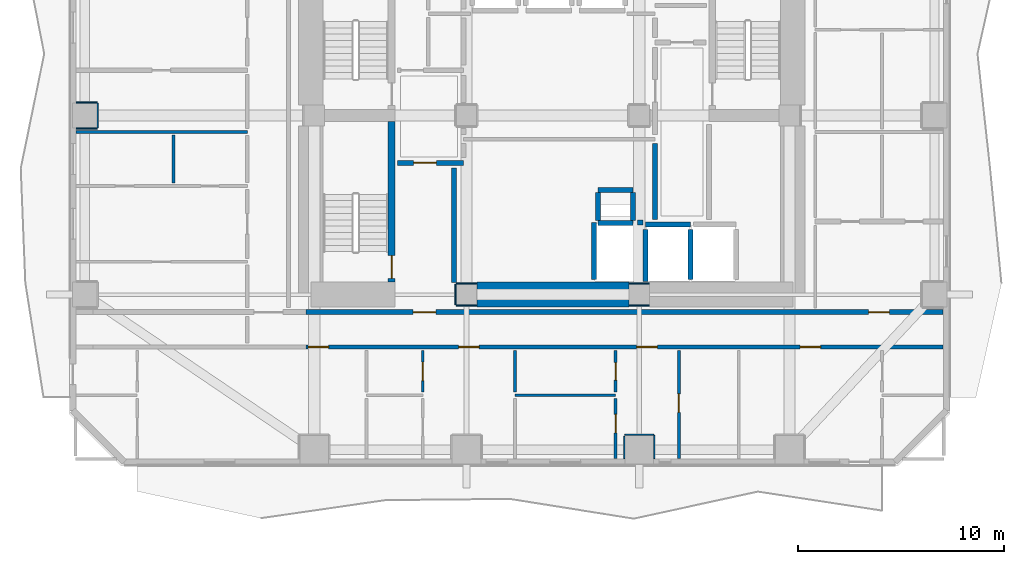
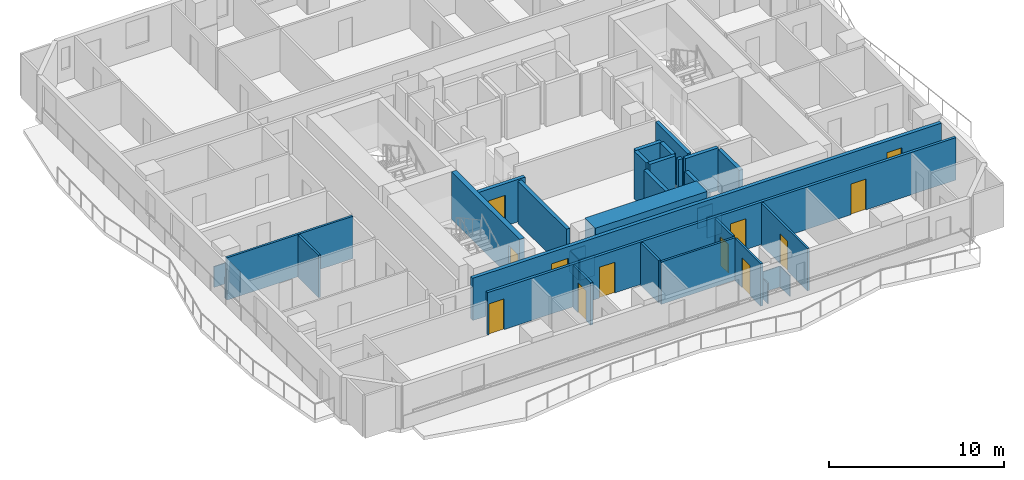
# One storey, part 3 of 12: 35 walls, 12 doors, 12 openings.
"""IFC4 building model written with IfcOpenShell, lengths in metres."""

from ifc_helpers import new_model, si_unit, direction, frame, frame_2d, origin, place, context, subcontext, project, spatial, rectangle, extrude, material, layer, layer_set, type_object, element, fill, save


model = new_model("IFC4")

# Units and contexts
model_context = context("Model", 3, precision=1e-05, world=origin(), true_north=direction((0.0, 1.0)))
body_context = subcontext(model_context, "Body", "Model", "MODEL_VIEW")
ifc_project = project(units=[si_unit("LENGTHUNIT", "METRE"), si_unit("AREAUNIT", "SQUARE_METRE"), si_unit("VOLUMEUNIT", "CUBIC_METRE"), si_unit("PLANEANGLEUNIT", "RADIAN"), si_unit("MASSUNIT", "GRAM", prefix="KILO")], contexts=[model_context])

# Site, building, storey
site_placement = place(None, origin())
site = spatial("IfcSite", under=ifc_project, at=site_placement, CompositionType="ELEMENT")
building_placement = place(site_placement, origin())
building = spatial("IfcBuilding", under=site, at=building_placement, Name="Solanera Arch Residences", CompositionType="ELEMENT")
storey_placement = place(building_placement, frame((0.0, 0.0, 85.080078125)))
storey = spatial("IfcBuildingStorey", under=building, at=storey_placement, Name="L24", CompositionType="ELEMENT", Elevation=85.080078125)

# Walls
ifc_material_1 = material(Name="Fire-Rated Gypsum Stud Partition", Category="gypsum")
ifc_layer_1 = layer(ifc_material_1, 0.06005859375)
ifc_layer_set_1 = layer_set([ifc_layer_1], Name="Fire-Rated Gypsum Stud Partition")
wall_type_1 = type_object("IfcWallType", Name="Column Acoustic Furring Wall 60", PredefinedType="PARTITIONING", material=ifc_layer_set_1)
for number, where, z_axis, x_axis, name in (
    (1, (20.300048828125, 21.468017578125, 0.0), (0.0, 0.0, 1.0), (1.0, 0.0, 0.0), "L24 Column Furring 1S"),
    (2, (20.300048828125, 22.531982421875, 0.0), (0.0, 0.0, 1.0), (1.0, 0.0, 0.0), "L24 Column Furring 1N"),
):
    element("IfcWall", number, at=place(storey_placement, frame(where, z_axis=z_axis, x_axis=x_axis)), inside=storey, type_object=wall_type_1, Name=name, PredefinedType="PARTITIONING", context=body_context, shape_type="SweptSolid", body=[
        extrude(rectangle(XDim=0.989990234375, YDim=0.06005859375, at=frame_2d((0.4951171875, 0.0))), origin(), (0.0, 0.0, 1.0), 1.449951171875),
    ])
wall_1_placement = place(storey_placement, frame((20.26806640625, 21.5, 0.0), z_axis=(0.0, 0.0, 1.0), x_axis=(0.0, 1.0, 0.0)))
element("IfcWall", 3, at=wall_1_placement, inside=storey, type_object=wall_type_1, Name="L24 Column Furring 1W", PredefinedType="PARTITIONING", context=body_context, shape_type="SweptSolid", body=[
    extrude(rectangle(XDim=1.0, YDim=0.06005859375, at=frame_2d((0.5, 0.0))), origin(), (0.0, 0.0, 1.0), 1.449951171875),
])
for number, where, z_axis, x_axis, name in (
    (4, (28.7099609375, 21.468017578125, 0.0), (0.0, 0.0, 1.0), (1.0, 0.0, 0.0), "L24 Column Furring 2S"),
    (5, (28.7099609375, 22.531982421875, 0.0), (0.0, 0.0, 1.0), (1.0, 0.0, 0.0), "L24 Column Furring 2N"),
):
    element("IfcWall", number, at=place(storey_placement, frame(where, z_axis=z_axis, x_axis=x_axis)), inside=storey, type_object=wall_type_1, Name=name, PredefinedType="PARTITIONING", context=body_context, shape_type="SweptSolid", body=[
        extrude(rectangle(XDim=0.97998046875, YDim=0.06005859375, at=frame_2d((0.489990234375, 0.0))), origin(), (0.0, 0.0, 1.0), 1.449951171875),
    ])
wall_2_placement = place(storey_placement, frame((28.5, 15.181884765625, 0.0), z_axis=(0.0, 0.0, 1.0), x_axis=(1.0, 0.0, 0.0)))
element("IfcWall", 6, at=wall_2_placement, inside=storey, type_object=wall_type_1, Name="L24 Column Furring 13N", PredefinedType="PARTITIONING", context=body_context, shape_type="SweptSolid", body=[
    extrude(rectangle(XDim=1.39990234375, YDim=0.06005859375, at=frame_2d((0.699951171875, 0.0))), origin(), (0.0, 0.0, 1.0), 1.449951171875),
])
wall_3_placement = place(storey_placement, frame((28.468017578125, 14.030029296875, 0.0), z_axis=(0.0, 0.0, 1.0), x_axis=(0.0, 1.0, 0.0)))
element("IfcWall", 7, at=wall_3_placement, inside=storey, type_object=wall_type_1, Name="L24 Column Furring 13W", PredefinedType="PARTITIONING", context=body_context, shape_type="SweptSolid", body=[
    extrude(rectangle(XDim=1.080078125, YDim=0.06005859375, at=frame_2d((0.5400390625, 0.0))), origin(), (0.0, 0.0, 1.0), 1.449951171875),
])
wall_4_placement = place(storey_placement, frame((29.931884765625, 14.030029296875, 0.0), z_axis=(0.0, 0.0, 1.0), x_axis=(0.0, 1.0, 0.0)))
element("IfcWall", 8, at=wall_4_placement, inside=storey, type_object=wall_type_1, Name="L24 Column Furring 13E", PredefinedType="PARTITIONING", context=body_context, shape_type="SweptSolid", body=[
    extrude(rectangle(XDim=1.119873046875, YDim=0.06005859375, at=frame_2d((0.56005859375, 0.0))), origin(), (0.0, 0.0, 1.0), 1.449951171875),
])
for number, where, z_axis, x_axis, name in (
    (9, (1.830078125, 30.068115234375, 0.0), (0.0, 0.0, 1.0), (1.0, 0.0, 0.0), "L24 Column Furring 19S"),
    (10, (1.830078125, 31.33203125, 0.0), (0.0, 0.0, 1.0), (1.0, 0.0, 0.0), "L24 Column Furring 19N"),
):
    element("IfcWall", number, at=place(storey_placement, frame(where, z_axis=z_axis, x_axis=x_axis)), inside=storey, type_object=wall_type_1, Name=name, PredefinedType="PARTITIONING", context=body_context, shape_type="SweptSolid", body=[
        extrude(rectangle(XDim=1.02001953125, YDim=0.06005859375, at=frame_2d((0.510009765625, 0.0))), origin(), (0.0, 0.0, 1.0), 1.449951171875),
    ])
wall_5_placement = place(storey_placement, frame((2.882080078125, 30.10009765625, 0.0), z_axis=(0.0, 0.0, 1.0), x_axis=(0.0, 1.0, 0.0)))
element("IfcWall", 11, at=wall_5_placement, inside=storey, type_object=wall_type_1, Name="L24 Column Furring 19E", PredefinedType="PARTITIONING", context=body_context, shape_type="SweptSolid", body=[
    extrude(rectangle(XDim=1.199951171875, YDim=0.06005859375, at=frame_2d((0.60009765625, 0.0))), origin(), (0.0, 0.0, 1.0), 1.449951171875),
])
ifc_material_2 = material(Name="Concrete C55/67 (f'c = 60 MPa)", Category="concrete")
ifc_layer_2 = layer(ifc_material_2, 1.199951171875)
ifc_layer_set_2 = layer_set([ifc_layer_2], Name="Concrete C55/67 (f'c = 60 MPa)")
wall_type_2 = type_object("IfcWallType", Name="Core Shear Wall CW-1200", PredefinedType="SHEAR", material=ifc_layer_set_2)
wall_6_placement = place(storey_placement, frame((21.304931640625, 22.0, 0.0), z_axis=(0.0, 0.0, 1.0), x_axis=(1.0, 0.0, 0.0)))
element("IfcWall", 12, at=wall_6_placement, inside=storey, type_object=wall_type_2, Name="L24 Central South Core Shear Wall", PredefinedType="SHEAR", context=body_context, shape_type="SweptSolid", body=[
    extrude(rectangle(XDim=7.39013671875, YDim=1.199951171875, at=frame_2d((3.695068359375, 0.0))), origin(), (0.0, 0.0, 1.0), 3.31982421875),
])

# Wall, opening, door
ifc_material_3 = material(Name="Concrete C40/50 (f'c = 45 MPa)", Category="concrete")
ifc_layer_3 = layer(ifc_material_3, 0.320068359375)
ifc_layer_set_3 = layer_set([ifc_layer_3], Name="Concrete C40/50 (f'c = 45 MPa)")
wall_type_3 = type_object("IfcWallType", Name="Core Shear Wall CW-320", PredefinedType="SHEAR", material=ifc_layer_set_3)
wall_7_placement = place(storey_placement, frame((17.159912109375, 22.60009765625, 0.0), z_axis=(0.0, 0.0, 1.0), x_axis=(0.0, 1.0, 0.0)))
wall_7 = element("IfcWall", 13, at=wall_7_placement, inside=storey, type_object=wall_type_3, Name="L24 Stair ST-T3 East Shear Wall", PredefinedType="SHEAR", context=body_context, shape_type="SweptSolid", body=[
    extrude(rectangle(XDim=7.7998046875, YDim=0.320068359375, at=frame_2d((3.89990234375, 0.0))), origin(), (0.0, 0.0, 1.0), 3.31982421875),
])
opening_1_placement = place(wall_7_placement, frame((0.18994140625, 0.0, 0.0)))
opening_1 = element("IfcOpeningElement", 14, at=opening_1_placement, cuts=wall_7, Name="Opening DF-01", PredefinedType="OPENING", context=body_context, shape_type="SweptSolid", body=[
    extrude(rectangle(XDim=1.10009765625, YDim=2.14990234375, at=frame_2d((0.550048828125, 1.074951171875))), frame((0.0, 0.169921875, 0.0), z_axis=(0.0, -1.0, 0.0), x_axis=(1.0, 0.0, 0.0)), (0.0, 0.0, 1.0), 0.3401),
])
ifc_material_4 = material(Name="Fire-Rated Architectural Hardwood", Category="wood")
door_type_1 = type_object("IfcDoorType", Name="Stair Exit Fire Door DF-01", OperationType="NOTDEFINED", PredefinedType="DOOR", material=ifc_material_4)
door_1_placement = place(opening_1_placement, origin())
door_1 = element("IfcDoor", 15, at=door_1_placement, inside=storey, type_object=door_type_1, Name="DR-L24-STAIR-ST-T3", OperationType="SINGLE_SWING_LEFT", OverallHeight=2.14990234375, OverallWidth=1.10009765625, PredefinedType="DOOR", context=body_context, shape_type="SweptSolid", body=[
    extrude(rectangle(XDim=1.10009765625, YDim=2.14990234375, at=frame_2d((0.550048828125, 1.074951171875))), frame((0.0, 0.02490234375, 0.0), z_axis=(0.0, -1.0, 0.0), x_axis=(1.0, 0.0, 0.0)), (0.0, 0.0, 1.0), 0.050048828125),
])
fill(opening_1, door_1)

# Wall, openings, doors
ifc_material_5 = material(Name="Autoclaved Aerated Concrete Blockwork", Category="masonry")
ifc_layer_4 = layer(ifc_material_5, 0.179931640625)
ifc_layer_set_4 = layer_set([ifc_layer_4], Name="Autoclaved Aerated Concrete Blockwork")
wall_type_4 = type_object("IfcWallType", Name="Corridor Fire Partition 180", PredefinedType="PARTITIONING", material=ifc_layer_set_4)
wall_8_placement = place(storey_placement, frame((12.992919921875, 19.449951171875, 0.0), z_axis=(0.0, 0.0, 1.0), x_axis=(1.0, 0.0, 0.0)))
wall_8 = element("IfcWall", 16, at=wall_8_placement, inside=storey, type_object=wall_type_4, Name="L24 Interior Partition H8 3", PredefinedType="PARTITIONING", context=body_context, shape_type="SweptSolid", body=[
    extrude(rectangle(XDim=30.97998046875, YDim=0.179931640625, at=frame_2d((15.489990234375, 0.0))), origin(), (0.0, 0.0, 1.0), 2.9599609375),
])
opening_2_placement = place(wall_8_placement, frame((0.110107421875, 0.0, 0.0)))
opening_2 = element("IfcOpeningElement", 17, at=opening_2_placement, cuts=wall_8, Name="Opening DI-01", PredefinedType="OPENING", context=body_context, shape_type="SweptSolid", body=[
    extrude(rectangle(XDim=1.0, YDim=2.14990234375, at=frame_2d((0.5, 1.074951171875))), frame((0.0, 0.10009765625, 0.0), z_axis=(0.0, -1.0, 0.0), x_axis=(1.0, 0.0, 0.0)), (0.0, 0.0, 1.0), 0.1999),
])
opening_3_placement = place(wall_8_placement, frame((7.423095703125, 0.0, 0.0)))
opening_3 = element("IfcOpeningElement", 18, at=opening_3_placement, cuts=wall_8, Name="Opening DI-01", PredefinedType="OPENING", context=body_context, shape_type="SweptSolid", body=[
    extrude(rectangle(XDim=1.0, YDim=2.14990234375, at=frame_2d((0.5, 1.074951171875))), frame((0.0, 0.10009765625, 0.0), z_axis=(0.0, -1.0, 0.0), x_axis=(1.0, 0.0, 0.0)), (0.0, 0.0, 1.0), 0.1999),
])
opening_4_placement = place(wall_8_placement, frame((16.0830078125, 0.0, 0.0)))
opening_4 = element("IfcOpeningElement", 19, at=opening_4_placement, cuts=wall_8, Name="Opening DI-01", PredefinedType="OPENING", context=body_context, shape_type="SweptSolid", body=[
    extrude(rectangle(XDim=1.0, YDim=2.14990234375, at=frame_2d((0.5, 1.074951171875))), frame((0.0, 0.10009765625, 0.0), z_axis=(0.0, -1.0, 0.0), x_axis=(1.0, 0.0, 0.0)), (0.0, 0.0, 1.0), 0.1999),
])
opening_5_placement = place(wall_8_placement, frame((24.027099609375, 0.0, 0.0)))
opening_5 = element("IfcOpeningElement", 20, at=opening_5_placement, cuts=wall_8, Name="Opening DI-01", PredefinedType="OPENING", context=body_context, shape_type="SweptSolid", body=[
    extrude(rectangle(XDim=1.0, YDim=2.14990234375, at=frame_2d((0.5, 1.074951171875))), frame((0.0, 0.10009765625, 0.0), z_axis=(0.0, -1.0, 0.0), x_axis=(1.0, 0.0, 0.0)), (0.0, 0.0, 1.0), 0.1999),
])
ifc_material_6 = material(Name="Fire-Rated Architectural Hardwood", Category="wood")
door_type_2 = type_object("IfcDoorType", Name="Unit Entrance Fire Door DI-01", OperationType="NOTDEFINED", PredefinedType="DOOR", material=ifc_material_6)
door_2_placement = place(opening_2_placement, origin())
door_2 = element("IfcDoor", 21, at=door_2_placement, inside=storey, type_object=door_type_2, Name="DR-L24-IN-013", OperationType="SINGLE_SWING_LEFT", OverallHeight=2.14990234375, OverallWidth=1.0, PredefinedType="DOOR", context=body_context, shape_type="SweptSolid", body=[
    extrude(rectangle(XDim=1.0, YDim=2.14990234375, at=frame_2d((0.5, 1.074951171875))), frame((0.0, 0.02490234375, 0.0), z_axis=(0.0, -1.0, 0.0), x_axis=(1.0, 0.0, 0.0)), (0.0, 0.0, 1.0), 0.050048828125),
])
fill(opening_2, door_2)
door_3_placement = place(opening_3_placement, origin())
door_3 = element("IfcDoor", 22, at=door_3_placement, inside=storey, type_object=door_type_2, Name="DR-L24-IN-016", OperationType="SINGLE_SWING_RIGHT", OverallHeight=2.14990234375, OverallWidth=1.0, PredefinedType="DOOR", context=body_context, shape_type="SweptSolid", body=[
    extrude(rectangle(XDim=1.0, YDim=2.14990234375, at=frame_2d((0.5, 1.074951171875))), frame((0.0, 0.02490234375, 0.0), z_axis=(0.0, -1.0, 0.0), x_axis=(1.0, 0.0, 0.0)), (0.0, 0.0, 1.0), 0.050048828125),
])
fill(opening_3, door_3)
door_4_placement = place(opening_4_placement, origin())
door_4 = element("IfcDoor", 23, at=door_4_placement, inside=storey, type_object=door_type_2, Name="DR-L24-IN-019", OperationType="SINGLE_SWING_LEFT", OverallHeight=2.14990234375, OverallWidth=1.0, PredefinedType="DOOR", context=body_context, shape_type="SweptSolid", body=[
    extrude(rectangle(XDim=1.0, YDim=2.14990234375, at=frame_2d((0.5, 1.074951171875))), frame((0.0, 0.02490234375, 0.0), z_axis=(0.0, -1.0, 0.0), x_axis=(1.0, 0.0, 0.0)), (0.0, 0.0, 1.0), 0.050048828125),
])
fill(opening_4, door_4)
door_5_placement = place(opening_5_placement, origin())
door_5 = element("IfcDoor", 24, at=door_5_placement, inside=storey, type_object=door_type_2, Name="DR-L24-IN-023", OperationType="SINGLE_SWING_LEFT", OverallHeight=2.14990234375, OverallWidth=1.0, PredefinedType="DOOR", context=body_context, shape_type="SweptSolid", body=[
    extrude(rectangle(XDim=1.0, YDim=2.14990234375, at=frame_2d((0.5, 1.074951171875))), frame((0.0, 0.02490234375, 0.0), z_axis=(0.0, -1.0, 0.0), x_axis=(1.0, 0.0, 0.0)), (0.0, 0.0, 1.0), 0.050048828125),
])
fill(opening_5, door_5)

# Walls
ifc_material_7 = material(Name="Concrete C40/50 (f'c = 45 MPa)", Category="concrete")
ifc_layer_5 = layer(ifc_material_7, 0.239990234375)
ifc_layer_set_5 = layer_set([ifc_layer_5], Name="Concrete C40/50 (f'c = 45 MPa)")
wall_type_5 = type_object("IfcWallType", Name="Ramp Bearing Shear Wall RW-240", PredefinedType="SHEAR", material=ifc_layer_set_5)
for number, where, z_axis, x_axis, name in (
    (25, (27.199951171875, 25.47998046875, 0.0), (0.0, 0.0, 1.0), (1.0, 0.0, 0.0), "L24 Core MEP Riser South Shaft Wall"),
    (26, (27.199951171875, 27.080078125, 0.0), (0.0, 0.0, 1.0), (1.0, 0.0, 0.0), "L24 Core MEP Riser North Shaft Wall"),
):
    element("IfcWall", number, at=place(storey_placement, frame(where, z_axis=z_axis, x_axis=x_axis)), inside=storey, type_object=wall_type_5, Name=name, PredefinedType="SHEAR", context=body_context, shape_type="SweptSolid", body=[
        extrude(rectangle(XDim=1.699951171875, YDim=0.239990234375, at=frame_2d((0.85009765625, 0.0))), origin(), (0.0, 0.0, 1.0), 3.31982421875),
    ])
for number, where, z_axis, x_axis, name in (
    (27, (27.199951171875, 25.60009765625, 0.0), (0.0, 0.0, 1.0), (0.0, 1.0, 0.0), "L24 Core MEP Riser West Shaft Wall"),
    (28, (28.89990234375, 25.60009765625, 0.0), (0.0, 0.0, 1.0), (0.0, 1.0, 0.0), "L24 Core MEP Riser East Shaft Wall"),
):
    element("IfcWall", number, at=place(storey_placement, frame(where, z_axis=z_axis, x_axis=x_axis)), inside=storey, type_object=wall_type_5, Name=name, PredefinedType="SHEAR", context=body_context, shape_type="SweptSolid", body=[
        extrude(rectangle(XDim=1.35986328125, YDim=0.239990234375, at=frame_2d((0.679931640625, 0.0))), origin(), (0.0, 0.0, 1.0), 3.31982421875),
    ])
ifc_material_8 = material(Name="Autoclaved Aerated Concrete Blockwork", Category="masonry")
ifc_layer_6 = layer(ifc_material_8, 0.239990234375)
ifc_layer_set_6 = layer_set([ifc_layer_6], Name="Autoclaved Aerated Concrete Blockwork")
wall_type_6 = type_object("IfcWallType", Name="Shaft Wall Fire-Rated 240", PredefinedType="PARTITIONING", material=ifc_layer_set_6)
wall_9_placement = place(storey_placement, frame((29.5, 25.39990234375, 0.0), z_axis=(0.0, 0.0, 1.0), x_axis=(1.0, 0.0, 0.0)))
element("IfcWall", 29, at=wall_9_placement, inside=storey, type_object=wall_type_6, Name="L24 Lift FFL-1 Hoistway Wall N", PredefinedType="PARTITIONING", context=body_context, shape_type="SweptSolid", body=[
    extrude(rectangle(XDim=2.199951171875, YDim=0.239990234375, at=frame_2d((1.10009765625, 0.0))), origin(), (0.0, 0.0, 1.0), 2.9599609375),
])
wall_10_placement = place(storey_placement, frame((29.5, 22.632080078125, 0.0), z_axis=(0.0, 0.0, 1.0), x_axis=(0.0, 1.0, 0.0)))
element("IfcWall", 30, at=wall_10_placement, inside=storey, type_object=wall_type_6, Name="L24 Lift FFL-1 Hoistway Wall W", PredefinedType="PARTITIONING", context=body_context, shape_type="SweptSolid", body=[
    extrude(rectangle(XDim=2.52001953125, YDim=0.239990234375, at=frame_2d((1.260009765625, 0.0))), origin(), (0.0, 0.0, 1.0), 2.19482421875),
])
wall_11_placement = place(storey_placement, frame((31.699951171875, 22.72998046875, 0.0), z_axis=(0.0, 0.0, 1.0), x_axis=(0.0, 1.0, 0.0)))
element("IfcWall", 31, at=wall_11_placement, inside=storey, type_object=wall_type_6, Name="L24 Lift FFL-1 Hoistway Wall E", PredefinedType="PARTITIONING", context=body_context, shape_type="SweptSolid", body=[
    extrude(rectangle(XDim=2.422119140625, YDim=0.239990234375, at=frame_2d((1.2109375, 0.0))), origin(), (0.0, 0.0, 1.0), 2.9599609375),
])
wall_12_placement = place(storey_placement, frame((29.10302734375, 25.5, 0.0), z_axis=(0.0, 0.0, 1.0), x_axis=(1.0, 0.0, 0.0)))
element("IfcWall", 32, at=wall_12_placement, inside=storey, type_object=wall_type_6, Name="L24 Lift SVL-1 Hoistway Wall N", PredefinedType="PARTITIONING", context=body_context, shape_type="SweptSolid", body=[
    extrude(rectangle(XDim=0.26904296875, YDim=0.239990234375, at=frame_2d((0.134521484375, 0.0))), origin(), (0.0, 0.0, 1.0), 2.9599609375),
])
wall_13_placement = place(storey_placement, frame((27.0, 22.72998046875, 0.0), z_axis=(0.0, 0.0, 1.0), x_axis=(0.0, 1.0, 0.0)))
element("IfcWall", 33, at=wall_13_placement, inside=storey, type_object=wall_type_6, Name="L24 Lift SVL-1 Hoistway Wall W", PredefinedType="PARTITIONING", context=body_context, shape_type="SweptSolid", body=[
    extrude(rectangle(XDim=2.76806640625, YDim=0.239990234375, at=frame_2d((1.384033203125, 0.0))), origin(), (0.0, 0.0, 1.0), 2.9599609375),
])

# Wall, openings, doors
wall_14_placement = place(storey_placement, frame((12.992919921875, 21.14990234375, 0.0), z_axis=(0.0, 0.0, 1.0), x_axis=(1.0, 0.0, 0.0)))
wall_14 = element("IfcWall", 34, at=wall_14_placement, inside=storey, type_object=wall_type_6, Name="L24 Interior Partition H1 3", PredefinedType="PARTITIONING", context=body_context, shape_type="SweptSolid", body=[
    extrude(rectangle(XDim=30.97998046875, YDim=0.239990234375, at=frame_2d((15.489990234375, 0.0))), origin(), (0.0, 0.0, 1.0), 2.9599609375),
])
opening_6_placement = place(wall_14_placement, frame((5.217041015625, 0.0, 0.0)))
opening_6 = element("IfcOpeningElement", 35, at=opening_6_placement, cuts=wall_14, Name="Opening DF-02", PredefinedType="OPENING", context=body_context, shape_type="SweptSolid", body=[
    extrude(rectangle(XDim=1.10009765625, YDim=2.14990234375, at=frame_2d((0.550048828125, 1.074951171875))), frame((0.0, 0.1298828125, 0.0), z_axis=(0.0, -1.0, 0.0), x_axis=(1.0, 0.0, 0.0)), (0.0, 0.0, 1.0), 0.26),
])
opening_7_placement = place(wall_14_placement, frame((27.35791015625, 0.0, 0.0)))
opening_7 = element("IfcOpeningElement", 36, at=opening_7_placement, cuts=wall_14, Name="Opening DI-01", PredefinedType="OPENING", context=body_context, shape_type="SweptSolid", body=[
    extrude(rectangle(XDim=1.0, YDim=2.14990234375, at=frame_2d((0.5, 1.074951171875))), frame((0.0, 0.1298828125, 0.0), z_axis=(0.0, -1.0, 0.0), x_axis=(1.0, 0.0, 0.0)), (0.0, 0.0, 1.0), 0.26),
])
ifc_material_9 = material(Name="Fire-Rated Architectural Hardwood", Category="wood")
door_type_3 = type_object("IfcDoorType", Name="Firefighting Lobby Fire Door DF-02", OperationType="NOTDEFINED", PredefinedType="DOOR", material=ifc_material_9)
door_6_placement = place(opening_6_placement, origin())
door_6 = element("IfcDoor", 37, at=door_6_placement, inside=storey, type_object=door_type_3, Name="DR-L24-IN-008", OperationType="SINGLE_SWING_RIGHT", OverallHeight=2.14990234375, OverallWidth=1.10009765625, PredefinedType="DOOR", context=body_context, shape_type="SweptSolid", body=[
    extrude(rectangle(XDim=1.10009765625, YDim=2.14990234375, at=frame_2d((0.550048828125, 1.074951171875))), frame((0.0, 0.02490234375, 0.0), z_axis=(0.0, -1.0, 0.0), x_axis=(1.0, 0.0, 0.0)), (0.0, 0.0, 1.0), 0.050048828125),
])
fill(opening_6, door_6)
door_7_placement = place(opening_7_placement, origin())
door_7 = element("IfcDoor", 38, at=door_7_placement, inside=storey, type_object=door_type_2, Name="DR-L24-IN-049", OperationType="SINGLE_SWING_LEFT", OverallHeight=2.14990234375, OverallWidth=1.0, PredefinedType="DOOR", context=body_context, shape_type="SweptSolid", body=[
    extrude(rectangle(XDim=1.0, YDim=2.14990234375, at=frame_2d((0.5, 1.074951171875))), frame((0.0, 0.02490234375, 0.0), z_axis=(0.0, -1.0, 0.0), x_axis=(1.0, 0.0, 0.0)), (0.0, 0.0, 1.0), 0.050048828125),
])
fill(opening_7, door_7)

# Wall, opening, door
wall_15_placement = place(storey_placement, frame((17.449951171875, 28.39990234375, 0.0), z_axis=(0.0, 0.0, 1.0), x_axis=(1.0, 0.0, 0.0)))
wall_15 = element("IfcWall", 39, at=wall_15_placement, inside=storey, type_object=wall_type_6, Name="L24 Interior Partition H4", PredefinedType="PARTITIONING", context=body_context, shape_type="SweptSolid", body=[
    extrude(rectangle(XDim=3.199951171875, YDim=0.239990234375, at=frame_2d((1.60009765625, 0.0))), origin(), (0.0, 0.0, 1.0), 2.9599609375),
])
opening_8_placement = place(wall_15_placement, frame((0.783935546875, 0.0, 0.0)))
opening_8 = element("IfcOpeningElement", 40, at=opening_8_placement, cuts=wall_15, Name="Opening DF-02", PredefinedType="OPENING", context=body_context, shape_type="SweptSolid", body=[
    extrude(rectangle(XDim=1.10009765625, YDim=2.14990234375, at=frame_2d((0.550048828125, 1.074951171875))), frame((0.0, 0.1298828125, 0.0), z_axis=(0.0, -1.0, 0.0), x_axis=(1.0, 0.0, 0.0)), (0.0, 0.0, 1.0), 0.26),
])
door_8_placement = place(opening_8_placement, origin())
door_8 = element("IfcDoor", 41, at=door_8_placement, inside=storey, type_object=door_type_3, Name="DR-L24-IN-004", OperationType="SINGLE_SWING_RIGHT", OverallHeight=2.14990234375, OverallWidth=1.10009765625, PredefinedType="DOOR", context=body_context, shape_type="SweptSolid", body=[
    extrude(rectangle(XDim=1.10009765625, YDim=2.14990234375, at=frame_2d((0.550048828125, 1.074951171875))), frame((0.0, 0.02490234375, 0.0), z_axis=(0.0, -1.0, 0.0), x_axis=(1.0, 0.0, 0.0)), (0.0, 0.0, 1.0), 0.050048828125),
])
fill(opening_8, door_8)

# Walls
wall_16_placement = place(storey_placement, frame((20.199951171875, 22.5859375, 0.0), z_axis=(0.0, 0.0, 1.0), x_axis=(0.0, 1.0, 0.0)))
element("IfcWall", 42, at=wall_16_placement, inside=storey, type_object=wall_type_6, Name="L24 Interior Partition V2", PredefinedType="PARTITIONING", context=body_context, shape_type="SweptSolid", body=[
    extrude(rectangle(XDim=5.566162109375, YDim=0.239990234375, at=frame_2d((2.783203125, 0.0))), origin(), (0.0, 0.0, 1.0), 2.9599609375),
])
wall_17_placement = place(storey_placement, frame((29.97509765625, 25.64794921875, 0.0), z_axis=(0.0, 0.0, 1.0), x_axis=(0.0, 1.0, 0.0)))
element("IfcWall", 43, at=wall_17_placement, inside=storey, type_object=wall_type_6, Name="L24 Interior Partition V4 1", PredefinedType="PARTITIONING", context=body_context, shape_type="SweptSolid", body=[
    extrude(rectangle(XDim=3.68408203125, YDim=0.239990234375, at=frame_2d((1.842041015625, 0.0))), origin(), (0.0, 0.0, 1.0), 2.9599609375),
])
ifc_material_10 = material(Name="Autoclaved Aerated Concrete Blockwork", Category="masonry")
ifc_layer_7 = layer(ifc_material_10, 0.139892578125)
ifc_layer_set_7 = layer_set([ifc_layer_7], Name="Autoclaved Aerated Concrete Blockwork")
wall_type_7 = type_object("IfcWallType", Name="Wet-Room Partition 140", PredefinedType="PARTITIONING", material=ifc_layer_set_7)
wall_18_placement = place(storey_placement, frame((23.154052734375, 17.10693359375, 0.0), z_axis=(0.0, 0.0, 1.0), x_axis=(1.0, 0.0, 0.0)))
element("IfcWall", 44, at=wall_18_placement, inside=storey, type_object=wall_type_7, Name="L24 Interior Partition H17", PredefinedType="PARTITIONING", context=body_context, shape_type="SweptSolid", body=[
    extrude(rectangle(XDim=4.89599609375, YDim=0.139892578125, at=frame_2d((2.447998046875, 0.0))), origin(), (0.0, 0.0, 1.0), 2.9599609375),
])
wall_19_placement = place(storey_placement, frame((1.826904296875, 29.89990234375, 0.0), z_axis=(0.0, 0.0, 1.0), x_axis=(1.0, 0.0, 0.0)))
element("IfcWall", 45, at=wall_19_placement, inside=storey, type_object=wall_type_7, Name="L24 Interior Partition H20", PredefinedType="PARTITIONING", context=body_context, shape_type="SweptSolid", body=[
    extrude(rectangle(XDim=8.322998046875, YDim=0.139892578125, at=frame_2d((4.16162109375, 0.0))), origin(), (0.0, 0.0, 1.0), 2.9599609375),
])
wall_20_placement = place(storey_placement, frame((6.55908203125, 27.423095703125, 0.0), z_axis=(0.0, 0.0, 1.0), x_axis=(0.0, 1.0, 0.0)))
element("IfcWall", 46, at=wall_20_placement, inside=storey, type_object=wall_type_7, Name="L24 Interior Partition V15", PredefinedType="PARTITIONING", context=body_context, shape_type="SweptSolid", body=[
    extrude(rectangle(XDim=2.328857421875, YDim=0.139892578125, at=frame_2d((1.16455078125, 0.0))), origin(), (0.0, 0.0, 1.0), 2.9599609375),
])

# Wall, opening, door
wall_21_placement = place(storey_placement, frame((18.678955078125, 17.2548828125, 0.0), z_axis=(0.0, 0.0, 1.0), x_axis=(0.0, 1.0, 0.0)))
wall_21 = element("IfcWall", 47, at=wall_21_placement, inside=storey, type_object=wall_type_7, Name="L24 Interior Partition V19 2", PredefinedType="PARTITIONING", context=body_context, shape_type="SweptSolid", body=[
    extrude(rectangle(XDim=2.027099609375, YDim=0.139892578125, at=frame_2d((1.013671875, 0.0))), origin(), (0.0, 0.0, 1.0), 2.9599609375),
])
opening_9_placement = place(wall_21_placement, frame((0.56103515625, 0.0, 0.0)))
opening_9 = element("IfcOpeningElement", 48, at=opening_9_placement, cuts=wall_21, Name="Opening DI-02", PredefinedType="OPENING", context=body_context, shape_type="SweptSolid", body=[
    extrude(rectangle(XDim=0.89990234375, YDim=2.10009765625, at=frame_2d((0.449951171875, 1.050048828125))), frame((0.0, 0.079833984375, 0.0), z_axis=(0.0, -1.0, 0.0), x_axis=(1.0, 0.0, 0.0)), (0.0, 0.0, 1.0), 0.1599),
])
ifc_material_11 = material(Name="Fire-Rated Architectural Hardwood", Category="wood")
door_type_4 = type_object("IfcDoorType", Name="Suite Room Swing Door DI-02", OperationType="NOTDEFINED", PredefinedType="DOOR", material=ifc_material_11)
door_9_placement = place(opening_9_placement, origin())
door_9 = element("IfcDoor", 49, at=door_9_placement, inside=storey, type_object=door_type_4, Name="DR-L24-IN-017", OperationType="SINGLE_SWING_LEFT", OverallHeight=2.10009765625, OverallWidth=0.89990234375, PredefinedType="DOOR", context=body_context, shape_type="SweptSolid", body=[
    extrude(rectangle(XDim=0.89990234375, YDim=2.10009765625, at=frame_2d((0.449951171875, 1.050048828125))), frame((0.0, 0.02490234375, 0.0), z_axis=(0.0, -1.0, 0.0), x_axis=(1.0, 0.0, 0.0)), (0.0, 0.0, 1.0), 0.050048828125),
])
fill(opening_9, door_9)

# Wall
wall_22_placement = place(storey_placement, frame((23.154052734375, 17.2548828125, 0.0), z_axis=(0.0, 0.0, 1.0), x_axis=(0.0, 1.0, 0.0)))
element("IfcWall", 50, at=wall_22_placement, inside=storey, type_object=wall_type_7, Name="L24 Interior Partition V20 2", PredefinedType="PARTITIONING", context=body_context, shape_type="SweptSolid", body=[
    extrude(rectangle(XDim=2.027099609375, YDim=0.139892578125, at=frame_2d((1.013671875, 0.0))), origin(), (0.0, 0.0, 1.0), 2.9599609375),
])

# Wall, opening, door
wall_23_placement = place(storey_placement, frame((28.050048828125, 14.027099609375, 0.0), z_axis=(0.0, 0.0, 1.0), x_axis=(0.0, 1.0, 0.0)))
wall_23 = element("IfcWall", 51, at=wall_23_placement, inside=storey, type_object=wall_type_7, Name="L24 Interior Partition V23 1", PredefinedType="PARTITIONING", context=body_context, shape_type="SweptSolid", body=[
    extrude(rectangle(XDim=2.931884765625, YDim=0.139892578125, at=frame_2d((1.4658203125, 0.0))), origin(), (0.0, 0.0, 1.0), 2.9599609375),
])
opening_10_placement = place(wall_23_placement, frame((1.2490234375, 0.0, 0.0)))
opening_10 = element("IfcOpeningElement", 52, at=opening_10_placement, cuts=wall_23, Name="Opening DI-03", PredefinedType="OPENING", context=body_context, shape_type="SweptSolid", body=[
    extrude(rectangle(XDim=0.89990234375, YDim=2.10009765625, at=frame_2d((0.449951171875, 1.050048828125))), frame((0.0, 0.079833984375, 0.0), z_axis=(0.0, -1.0, 0.0), x_axis=(1.0, 0.0, 0.0)), (0.0, 0.0, 1.0), 0.1599),
])
ifc_material_12 = material(Name="Fire-Rated Architectural Hardwood", Category="wood")
door_type_5 = type_object("IfcDoorType", Name="Bedroom Swing Door DI-03", OperationType="NOTDEFINED", PredefinedType="DOOR", material=ifc_material_12)
door_10_placement = place(opening_10_placement, origin())
door_10 = element("IfcDoor", 53, at=door_10_placement, inside=storey, type_object=door_type_5, Name="DR-L24-IN-021", OperationType="SINGLE_SWING_LEFT", OverallHeight=2.10009765625, OverallWidth=0.89990234375, PredefinedType="DOOR", context=body_context, shape_type="SweptSolid", body=[
    extrude(rectangle(XDim=0.89990234375, YDim=2.10009765625, at=frame_2d((0.449951171875, 1.050048828125))), frame((0.0, 0.02490234375, 0.0), z_axis=(0.0, -1.0, 0.0), x_axis=(1.0, 0.0, 0.0)), (0.0, 0.0, 1.0), 0.050048828125),
])
fill(opening_10, door_10)

wall_24_placement = place(storey_placement, frame((28.050048828125, 17.2548828125, 0.0), z_axis=(0.0, 0.0, 1.0), x_axis=(0.0, 1.0, 0.0)))
wall_24 = element("IfcWall", 54, at=wall_24_placement, inside=storey, type_object=wall_type_7, Name="L24 Interior Partition V23 2", PredefinedType="PARTITIONING", context=body_context, shape_type="SweptSolid", body=[
    extrude(rectangle(XDim=2.027099609375, YDim=0.139892578125, at=frame_2d((1.013671875, 0.0))), origin(), (0.0, 0.0, 1.0), 2.9599609375),
])
opening_11_placement = place(wall_24_placement, frame((0.5810546875, 0.0, 0.0)))
opening_11 = element("IfcOpeningElement", 55, at=opening_11_placement, cuts=wall_24, Name="Opening DI-05", PredefinedType="OPENING", context=body_context, shape_type="SweptSolid", body=[
    extrude(rectangle(XDim=0.860107421875, YDim=2.02001953125, at=frame_2d((0.43017578125, 1.010009765625))), frame((0.0, 0.079833984375, 0.0), z_axis=(0.0, -1.0, 0.0), x_axis=(1.0, 0.0, 0.0)), (0.0, 0.0, 1.0), 0.1599),
])
ifc_material_13 = material(Name="Fire-Rated Architectural Hardwood", Category="wood")
door_type_6 = type_object("IfcDoorType", Name="Bathroom Swing Door DI-05", OperationType="NOTDEFINED", PredefinedType="DOOR", material=ifc_material_13)
door_11_placement = place(opening_11_placement, origin())
door_11 = element("IfcDoor", 56, at=door_11_placement, inside=storey, type_object=door_type_6, Name="DR-L24-IN-020", OperationType="SINGLE_SWING_RIGHT", OverallHeight=2.02001953125, OverallWidth=0.860107421875, PredefinedType="DOOR", context=body_context, shape_type="SweptSolid", body=[
    extrude(rectangle(XDim=0.860107421875, YDim=2.02001953125, at=frame_2d((0.43017578125, 1.010009765625))), frame((0.0, 0.02490234375, 0.0), z_axis=(0.0, -1.0, 0.0), x_axis=(1.0, 0.0, 0.0)), (0.0, 0.0, 1.0), 0.050048828125),
])
fill(opening_11, door_11)

wall_25_placement = place(storey_placement, frame((31.1240234375, 14.027099609375, 0.0), z_axis=(0.0, 0.0, 1.0), x_axis=(0.0, 1.0, 0.0)))
wall_25 = element("IfcWall", 57, at=wall_25_placement, inside=storey, type_object=wall_type_7, Name="L24 Interior Partition V24", PredefinedType="PARTITIONING", context=body_context, shape_type="SweptSolid", body=[
    extrude(rectangle(XDim=5.2548828125, YDim=0.139892578125, at=frame_2d((2.62744140625, 0.0))), origin(), (0.0, 0.0, 1.0), 2.9599609375),
])
opening_12_placement = place(wall_25_placement, frame((2.248046875, 0.0, 0.0)))
opening_12 = element("IfcOpeningElement", 58, at=opening_12_placement, cuts=wall_25, Name="Opening DI-02", PredefinedType="OPENING", context=body_context, shape_type="SweptSolid", body=[
    extrude(rectangle(XDim=0.89990234375, YDim=2.10009765625, at=frame_2d((0.449951171875, 1.050048828125))), frame((0.0, 0.079833984375, 0.0), z_axis=(0.0, -1.0, 0.0), x_axis=(1.0, 0.0, 0.0)), (0.0, 0.0, 1.0), 0.1599),
])
door_12_placement = place(opening_12_placement, origin())
door_12 = element("IfcDoor", 59, at=door_12_placement, inside=storey, type_object=door_type_4, Name="DR-L24-IN-022", OperationType="SINGLE_SWING_RIGHT", OverallHeight=2.10009765625, OverallWidth=0.89990234375, PredefinedType="DOOR", context=body_context, shape_type="SweptSolid", body=[
    extrude(rectangle(XDim=0.89990234375, YDim=2.10009765625, at=frame_2d((0.449951171875, 1.050048828125))), frame((0.0, 0.02490234375, 0.0), z_axis=(0.0, -1.0, 0.0), x_axis=(1.0, 0.0, 0.0)), (0.0, 0.0, 1.0), 0.050048828125),
])
fill(opening_12, door_12)

save(model, "model.ifc")
